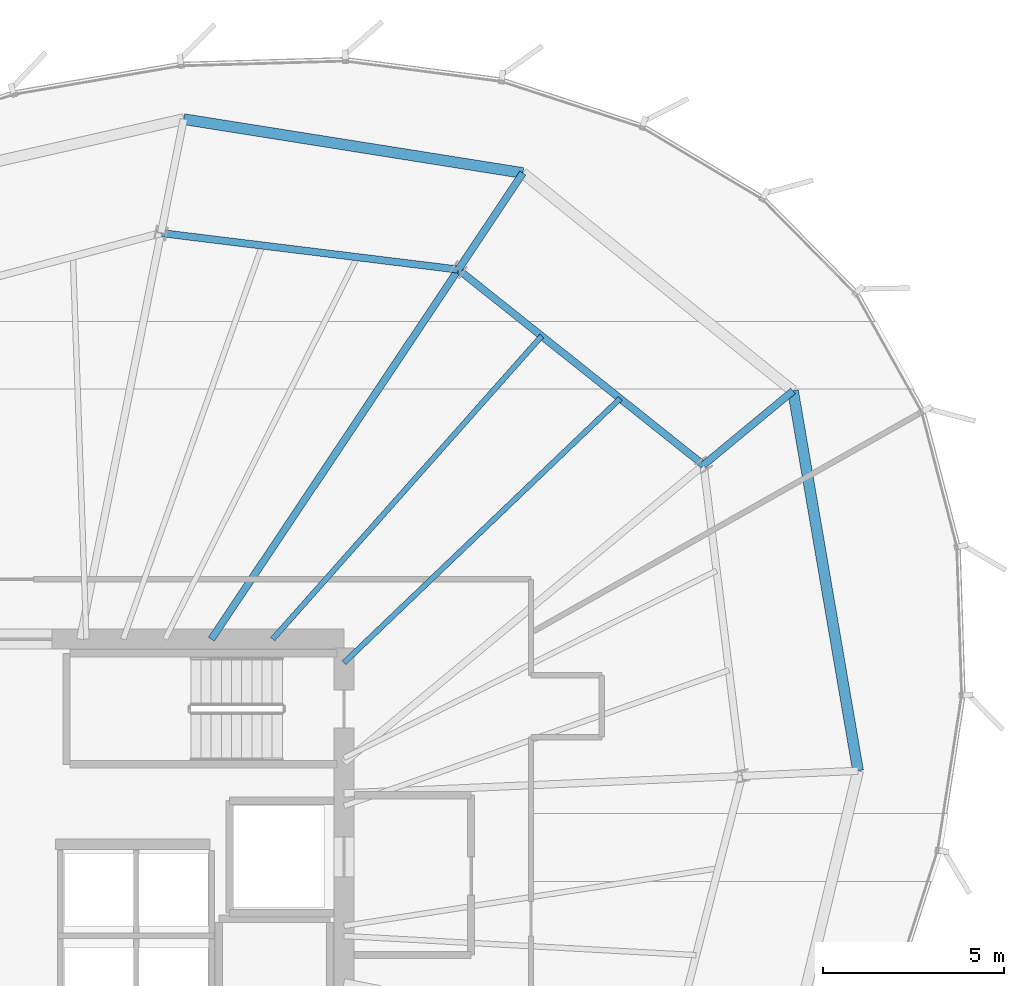
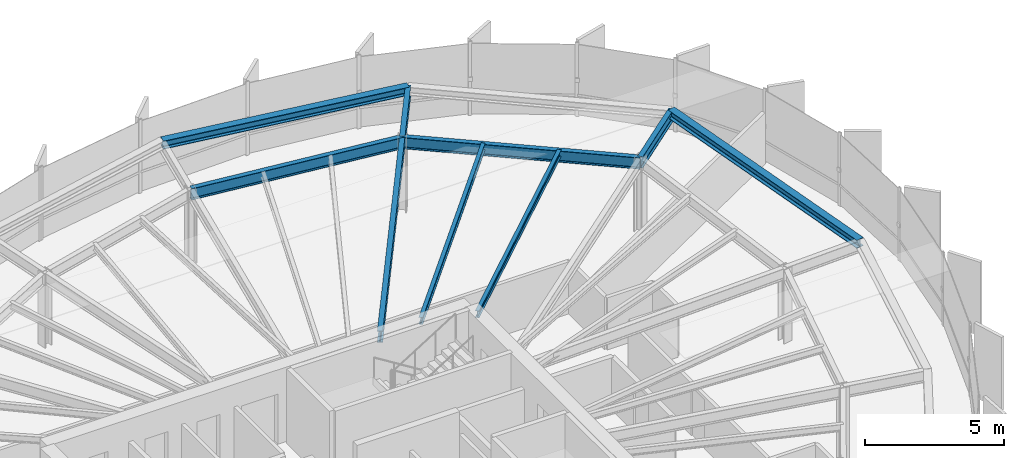
# One storey, part 24 of 34: 9 beams.
"""IFC4 building model written with IfcOpenShell, lengths in metres."""

import ifcopenshell
import ifcopenshell.guid

model = None  # the IFC model being written
_history = None  # IfcOwnerHistory: only IFC2X3 demands one
_inside = {}  # id of a spatial element -> (the spatial element, [elements in it])
_under = {}  # id of a project, library or spatial element -> (it, [spatial elements below it])
_declared = {}  # id of a project -> (the project, [libraries it declares])
_typed = {}  # id of a type object -> (the type object, [elements of that type])
_made_of = {}  # id of a material, layer set ... -> (it, [elements and type objects made of it])


def new_model(schema):
    """Start an empty IFC model of exactly this schema.

    Asked for "IFC4X3", IfcOpenShell would pick the latest addendum, in which some entities
    have other attributes; the version numbers below select the first issue.
    IFC2X3 requires an IfcOwnerHistory on every rooted entity: one is made here for all.
    """
    global model, _history
    if schema == "IFC4X3":
        model = ifcopenshell.file(schema_version=(4, 3, 0, 0))
    else:
        model = ifcopenshell.file(schema=schema)
    _inside.clear()
    _under.clear()
    _declared.clear()
    _typed.clear()
    _made_of.clear()
    _history = None
    if model.schema == "IFC2X3":
        org = make("IfcOrganization", Name="unknown")
        user = make(
            "IfcPersonAndOrganization",
            ThePerson=make("IfcPerson", FamilyName="unknown"),
            TheOrganization=org,
        )
        app = make(
            "IfcApplication",
            ApplicationDeveloper=org,
            Version="unknown",
            ApplicationFullName="unknown",
            ApplicationIdentifier="unknown",
        )
        _history = make(
            "IfcOwnerHistory",
            OwningUser=user,
            OwningApplication=app,
            ChangeAction="ADDED",
            CreationDate=0,
        )
    return model


def make(cls, **values):
    """One entity of the class cls with the attributes given. An attribute that is None is left unset."""
    return model.create_entity(
        cls, **{name: value for name, value in values.items() if value is not None}
    )


def rooted(cls, **values):
    """An entity with a GlobalId (a new one), such as an element, a storey or a relation."""
    return make(cls, GlobalId=ifcopenshell.guid.new(), OwnerHistory=_history, **values)


def si_unit(unit_type, name, prefix=None):
    """IfcSIUnit, for example si_unit("LENGTHUNIT", "METRE", prefix="MILLI")."""
    return make("IfcSIUnit", UnitType=unit_type, Prefix=prefix, Name=name)


def assignment(units):
    """IfcUnitAssignment: the units of a project."""
    return None if units is None else make("IfcUnitAssignment", Units=units)


def point(xyz):
    """IfcCartesianPoint."""
    return None if xyz is None else make("IfcCartesianPoint", Coordinates=xyz)


def direction(xyz):
    """IfcDirection."""
    return None if xyz is None else make("IfcDirection", DirectionRatios=xyz)


def frame(location, z_axis=None, x_axis=None):
    """IfcAxis2Placement3D, a coordinate frame: its origin and axes. An axis left out is left unset."""
    return make(
        "IfcAxis2Placement3D",
        Location=point(location),
        Axis=direction(z_axis),
        RefDirection=direction(x_axis),
    )


def frame_2d(location, x_axis=None):
    """IfcAxis2Placement2D, a coordinate frame in the plane: its origin and x axis."""
    return make(
        "IfcAxis2Placement2D", Location=point(location), RefDirection=direction(x_axis)
    )


def origin():
    """The frame at (0, 0, 0) with its axes left unset."""
    return frame((0.0, 0.0, 0.0))


def origin_2d():
    """The frame at (0, 0) in the plane with its x axis left unset."""
    return frame_2d((0.0, 0.0))


def place(relative_to, where):
    """IfcLocalPlacement: puts the frame where relative to a parent placement (None: the world)."""
    return make(
        "IfcLocalPlacement", PlacementRelTo=relative_to, RelativePlacement=where
    )


def context(
    kind, dimensions, precision=None, world=None, true_north=None, identifier=None
):
    """IfcGeometricRepresentationContext, for example the 3D "Model" context."""
    return make(
        "IfcGeometricRepresentationContext",
        ContextIdentifier=identifier,
        ContextType=kind,
        CoordinateSpaceDimension=dimensions,
        Precision=precision,
        WorldCoordinateSystem=world,
        TrueNorth=true_north,
    )


def subcontext(parent, identifier, kind, view, scale=None):
    """IfcGeometricRepresentationSubContext, for example "Body" below "Model"."""
    return make(
        "IfcGeometricRepresentationSubContext",
        ContextIdentifier=identifier,
        ContextType=kind,
        ParentContext=parent,
        TargetScale=scale,
        TargetView=view,
    )


def project(units=None, contexts=None):
    """IfcProject with its units and contexts."""
    return rooted(
        "IfcProject",
        Name="project",
        RepresentationContexts=contexts,
        UnitsInContext=assignment(units),
    )


def spatial(cls, under=None, at=None, **own):
    """A site, building, storey or space (cls), placed at a placement, below another one or the project."""
    s = rooted(cls, ObjectPlacement=at, **own)
    if under is not None:
        _under.setdefault(under.id(), (under, []))[1].append(s)
    return s


def profile(cls, at=None, kind="AREA", **sizes):
    """A parametric profile (cls). Its sizes go by their IFC names, for example OverallWidth=200.0."""
    return make(cls, ProfileType=kind, Position=at, **sizes)


def i_section(**sizes):
    """IfcIShapeProfileDef."""
    return profile("IfcIShapeProfileDef", **sizes)


def extrude(swept, where, along, depth):
    """IfcExtrudedAreaSolid: the profile swept, set in the frame where, extruded along a direction by depth."""
    return make(
        "IfcExtrudedAreaSolid",
        SweptArea=swept,
        Position=where,
        ExtrudedDirection=direction(along),
        Depth=depth,
    )


def shape(context_of_items, identifier, shape_type, items):
    """IfcShapeRepresentation: the items that make up one representation, for example the "Body"."""
    return make(
        "IfcShapeRepresentation",
        ContextOfItems=context_of_items,
        RepresentationIdentifier=identifier,
        RepresentationType=shape_type,
        Items=items,
    )


def source(mapping_origin, context_of_items, identifier, shape_type, items):
    """IfcRepresentationMap: a shape defined once, which mapped items show again and again."""
    return make(
        "IfcRepresentationMap",
        MappingOrigin=mapping_origin,
        MappedRepresentation=shape(context_of_items, identifier, shape_type, items),
    )


def transform(
    local_origin,
    x_axis=None,
    y_axis=None,
    z_axis=None,
    scale=None,
    scale2=None,
    scale3=None,
    uniform=True,
):
    """IfcCartesianTransformationOperator3D, or its non-uniform kind. x_axis, y_axis, z_axis: its Axis1, 2, 3."""
    if uniform:
        return make(
            "IfcCartesianTransformationOperator3D",
            Axis1=direction(x_axis),
            Axis2=direction(y_axis),
            LocalOrigin=point(local_origin),
            Scale=scale,
            Axis3=direction(z_axis),
        )
    return make(
        "IfcCartesianTransformationOperator3DnonUniform",
        Axis1=direction(x_axis),
        Axis2=direction(y_axis),
        LocalOrigin=point(local_origin),
        Scale=scale,
        Axis3=direction(z_axis),
        Scale2=scale2,
        Scale3=scale3,
    )


def mapped(mapping_source, mapping_target):
    """IfcMappedItem: shows the shape of a source again, moved by a transform."""
    return make(
        "IfcMappedItem", MappingSource=mapping_source, MappingTarget=mapping_target
    )


def material(Name=None, Category=None):
    """IfcMaterial."""
    return make("IfcMaterial", Name=Name, Category=Category)


def material_profile(
    of_material, cross_section, Name=None, Category=None, Priority=None
):
    """IfcMaterialProfile: a cross section and its material."""
    return make(
        "IfcMaterialProfile",
        Name=Name,
        Material=of_material,
        Profile=cross_section,
        Priority=Priority,
        Category=Category,
    )


def profile_set(profiles, Name=None, composite=None):
    """IfcMaterialProfileSet."""
    return make(
        "IfcMaterialProfileSet",
        Name=Name,
        MaterialProfiles=profiles,
        CompositeProfile=composite,
    )


def made_of(thing, what):
    """Note that an element or type object is made of a material, layer set ...; save() writes the relation."""
    if what is not None:
        _made_of.setdefault(what.id(), (what, []))[1].append(thing)
    return thing


def type_object(cls, material=None, **own):
    """A type object (cls), such as IfcWallType, which elements share."""
    return made_of(rooted(cls, **own), material)


def element(
    cls,
    number,
    at=None,
    inside=None,
    cuts=None,
    type_object=None,
    material=None,
    context=None,
    identifier="Body",
    shape_type=None,
    held_by="IfcProductDefinitionShape",
    body=None,
    shapes=None,
    **own,
):
    """One element of the class cls, such as IfcWall. Its Tag is "e" and its number.

    at: its placement. inside: the storey or other place that contains it. cuts: it is an
    opening in that element (IfcRelVoidsElement). A single representation is given by context,
    identifier, shape_type and body (its items); several are given by shapes. held_by: the class
    of the entity that holds the representations. save() writes the other relations.
    """
    e = rooted(cls, Tag="e%d" % number, ObjectPlacement=at, **own)
    if body is not None:
        shapes = [shape(context, identifier, shape_type, body)]
    if shapes is not None:
        e.Representation = make(held_by, Representations=shapes)
    if inside is not None:
        _inside.setdefault(inside.id(), (inside, []))[1].append(e)
    if cuts is not None:
        rooted(
            "IfcRelVoidsElement", RelatingBuildingElement=cuts, RelatedOpeningElement=e
        )
    if type_object is not None:
        _typed.setdefault(type_object.id(), (type_object, []))[1].append(e)
    return made_of(e, material)


def aggregate(whole, parts):
    """IfcRelAggregates: a whole, such as a stair, and the parts it consists of."""
    return rooted("IfcRelAggregates", RelatingObject=whole, RelatedObjects=parts)


def save(model, path):
    """Write the relations noted so far, then the file.

    IfcRelAggregates (storeys below a building ...), IfcRelContainedInSpatialStructure (elements
    in a storey), IfcRelDefinesByType, IfcRelAssociatesMaterial and IfcRelDeclares: one each for
    every whole, place, type object, material and project.
    """
    for whole, parts in _under.values():
        aggregate(whole, parts)
    for where, things in _inside.values():
        rooted(
            "IfcRelContainedInSpatialStructure",
            RelatedElements=things,
            RelatingStructure=where,
        )
    for kind, things in _typed.values():
        rooted("IfcRelDefinesByType", RelatedObjects=things, RelatingType=kind)
    for what, things in _made_of.values():
        rooted("IfcRelAssociatesMaterial", RelatedObjects=things, RelatingMaterial=what)
    for by, libraries in _declared.values():
        rooted("IfcRelDeclares", RelatingContext=by, RelatedDefinitions=libraries)
    model.write(path)


model = new_model("IFC4")

# Units and contexts
model_context = context("Model", 3, precision=1e-05, world=origin(), true_north=direction((0.0, 1.0)))
body_context = subcontext(model_context, "Body", "Model", "MODEL_VIEW")
ifc_project = project(units=[si_unit("LENGTHUNIT", "METRE"), si_unit("AREAUNIT", "SQUARE_METRE"), si_unit("VOLUMEUNIT", "CUBIC_METRE"), si_unit("PLANEANGLEUNIT", "RADIAN"), si_unit("MASSUNIT", "GRAM", prefix="KILO"), si_unit("THERMODYNAMICTEMPERATUREUNIT", "KELVIN")], contexts=[model_context])

# Site, building, storey
site_placement = place(None, origin())
site = spatial("IfcSite", under=ifc_project, at=site_placement, CompositionType="ELEMENT")
building_placement = place(site_placement, origin())
building = spatial("IfcBuilding", under=site, at=building_placement, Name="Kethvar Cultural Tower", CompositionType="ELEMENT")
storey_placement = place(building_placement, frame((0.0, 0.0, 183.39990234375)))
storey = spatial("IfcBuildingStorey", under=building, at=storey_placement, Name="L47", CompositionType="ELEMENT", Elevation=183.39990234375)

# Beams
ifc_material = material(Name="Steel S355J2", Category="steel")
ifc_material_profile_1 = material_profile(ifc_material, i_section(OverallWidth=0.199951171875, OverallDepth=0.5, WebThickness=0.01025390625, FlangeThickness=0.01611328125, FilletRadius=0.02099609375, at=origin_2d()), Name="Steel S355J2 — IPE500")
ifc_profile_set_1 = profile_set([ifc_material_profile_1], Name="Steel S355J2 — IPE500")
beam_type_1 = type_object("IfcBeamType", Name="BM-IPE500", PredefinedType="BEAM", material=ifc_profile_set_1)
shared_shape_1 = source(origin(), body_context, "Body", "SweptSolid", [
    extrude(i_section(OverallWidth=0.199951171875, OverallDepth=0.5, WebThickness=0.01025390625, FlangeThickness=0.01611328125, FilletRadius=0.02099609375, at=origin_2d()), origin(), (0.0, 0.0, 1.0), 3.2001953125),
])
beam_1_placement = place(storey_placement, frame((58.748046875, 45.681396484375, 3.008056640625), z_axis=(0.555544970406, 0.831486491686, 0.0), x_axis=(-0.831486491686, 0.555544970406, 0.0)))
element("IfcBeam", 1, at=beam_1_placement, inside=storey, type_object=beam_type_1, Name="L47 Perimeter Cantilever Beam RC-03", PredefinedType="BEAM", context=body_context, shape_type="MappedRepresentation", body=[
    mapped(shared_shape_1, transform((0.0, 0.0, 0.0), scale=1.0)),
])
shared_shape_2 = source(origin(), body_context, "Body", "SweptSolid", [
    extrude(i_section(OverallWidth=0.199951171875, OverallDepth=0.5, WebThickness=0.01025390625, FlangeThickness=0.01611328125, FilletRadius=0.02099609375, at=origin_2d()), origin(), (0.0, 0.0, 1.0), 3.199951171875),
])
beam_2_placement = place(storey_placement, frame((65.504150390625, 40.297607421875, 3.008056640625), z_axis=(0.770324538831, 0.637652024913, 0.0), x_axis=(-0.637652024913, 0.770324538831, 0.0)))
element("IfcBeam", 2, at=beam_2_placement, inside=storey, type_object=beam_type_1, Name="L47 Perimeter Cantilever Beam RC-02", PredefinedType="BEAM", context=body_context, shape_type="MappedRepresentation", body=[
    mapped(shared_shape_2, transform((0.0, 0.0, 0.0), scale=1.0)),
])
shared_shape_3 = source(origin(), body_context, "Body", "SweptSolid", [
    extrude(i_section(OverallWidth=0.199951171875, OverallDepth=0.5, WebThickness=0.01025390625, FlangeThickness=0.01611328125, FilletRadius=0.02099609375, at=origin_2d()), origin(), (0.0, 0.0, 1.0), 12.2451171875),
])
beam_3_placement = place(storey_placement, frame((51.945068359375, 35.5, 3.008056640625), z_axis=(0.555569492312, 0.831470107227, 0.0), x_axis=(-0.831470107227, 0.555569492312, 0.0)))
element("IfcBeam", 3, at=beam_3_placement, inside=storey, type_object=beam_type_1, Name="L47 Primary Radial Beam RB-03", PredefinedType="BEAM", context=body_context, shape_type="MappedRepresentation", body=[
    mapped(shared_shape_3, transform((0.0, 0.0, 0.0), scale=1.0)),
])
ifc_material_profile_2 = material_profile(ifc_material, i_section(OverallWidth=0.300048828125, OverallDepth=0.360107421875, WebThickness=0.012451171875, FlangeThickness=0.0224609375, FilletRadius=0.027099609375, at=origin_2d()), Name="Steel S355J2 — HEB360")
ifc_profile_set_2 = profile_set([ifc_material_profile_2], Name="Steel S355J2 — HEB360")
beam_type_2 = type_object("IfcBeamType", Name="BM-SP360", PredefinedType="SPANDREL", material=ifc_profile_set_2)
shared_shape_4 = source(origin(), body_context, "Body", "SweptSolid", [
    extrude(i_section(OverallWidth=0.300048828125, OverallDepth=0.360107421875, WebThickness=0.012451171875, FlangeThickness=0.0224609375, FilletRadius=0.027099609375, at=origin_2d()), origin(), (0.0, 0.0, 1.0), 10.618896484375),
])
beam_4_placement = place(storey_placement, frame((69.760986328125, 31.87158203125, 3.078125), z_axis=(-0.168733441284, 0.985661719756, 0.0), x_axis=(-0.985661719756, -0.168733441284, 0.0)))
element("IfcBeam", 4, at=beam_4_placement, inside=storey, type_object=beam_type_2, Name="L47 Perimeter Spandrel Beam SP-01", PredefinedType="SPANDREL", context=body_context, shape_type="MappedRepresentation", body=[
    mapped(shared_shape_4, transform((0.0, 0.0, 0.0), scale=1.0)),
])
shared_shape_5 = source(origin(), body_context, "Body", "SweptSolid", [
    extrude(i_section(OverallWidth=0.199951171875, OverallDepth=0.5, WebThickness=0.01025390625, FlangeThickness=0.01611328125, FilletRadius=0.02099609375, at=origin_2d()), origin(), (0.0, 0.0, 1.0), 8.638916015625),
])
beam_5_placement = place(storey_placement, frame((65.504150390625, 40.297607421875, 3.008056640625), z_axis=(-0.782058475366, 0.623205055425, 0.0), x_axis=(-0.623205055425, -0.782058475366, 0.0)))
element("IfcBeam", 5, at=beam_5_placement, inside=storey, type_object=beam_type_1, Name="L47 Column Ring Tie Beam CR-02", PredefinedType="BEAM", context=body_context, shape_type="MappedRepresentation", body=[
    mapped(shared_shape_5, transform((0.0, 0.0, 0.0), scale=1.0)),
])
ifc_material_profile_3 = material_profile(ifc_material, i_section(OverallWidth=0.14990234375, OverallDepth=0.300048828125, WebThickness=0.007080078125, FlangeThickness=0.0107421875, FilletRadius=0.014892578125, at=origin_2d()), Name="Steel S355J2 — IPE300")
ifc_profile_set_3 = profile_set([ifc_material_profile_3], Name="Steel S355J2 — IPE300")
beam_type_3 = type_object("IfcBeamType", Name="BM-J300", PredefinedType="JOIST", material=ifc_profile_set_3)
shared_shape_6 = source(origin(), body_context, "Body", "SweptSolid", [
    extrude(i_section(OverallWidth=0.14990234375, OverallDepth=0.300048828125, WebThickness=0.007080078125, FlangeThickness=0.0107421875, FilletRadius=0.014892578125, at=origin_2d()), origin(), (0.0, 0.0, 1.0), 10.52783203125),
])
beam_6_placement = place(storey_placement, frame((55.60009765625, 34.85009765625, 3.108154296875), z_axis=(0.722552708299, 0.691315835006, 0.0), x_axis=(-0.691315835006, 0.722552708299, 0.0)))
element("IfcBeam", 6, at=beam_6_placement, inside=storey, type_object=beam_type_3, Name="L47 Composite Floor Joist J-02A", PredefinedType="JOIST", context=body_context, shape_type="MappedRepresentation", body=[
    mapped(shared_shape_6, transform((0.0, 0.0, 0.0), scale=1.0)),
])
shared_shape_7 = source(origin(), body_context, "Body", "SweptSolid", [
    extrude(i_section(OverallWidth=0.14990234375, OverallDepth=0.300048828125, WebThickness=0.007080078125, FlangeThickness=0.0107421875, FilletRadius=0.014892578125, at=origin_2d()), origin(), (0.0, 0.0, 1.0), 11.16552734375),
])
beam_7_placement = place(storey_placement, frame((53.6337890625, 35.5, 3.108154296875), z_axis=(0.663773261048, 0.747933859321, 0.0), x_axis=(-0.747933859321, 0.663773261048, 0.0)))
element("IfcBeam", 7, at=beam_7_placement, inside=storey, type_object=beam_type_3, Name="L47 Composite Floor Joist J-02B", PredefinedType="JOIST", context=body_context, shape_type="MappedRepresentation", body=[
    mapped(shared_shape_7, transform((0.0, 0.0, 0.0), scale=1.0)),
])
shared_shape_8 = source(origin(), body_context, "Body", "SweptSolid", [
    extrude(i_section(OverallWidth=0.199951171875, OverallDepth=0.5, WebThickness=0.01025390625, FlangeThickness=0.01611328125, FilletRadius=0.02099609375, at=origin_2d()), origin(), (0.0, 0.0, 1.0), 8.252685546875),
])
beam_8_placement = place(storey_placement, frame((58.748046875, 45.681396484375, 3.008056640625), z_axis=(-0.992540943467, 0.121911753093, 0.0), x_axis=(-0.121911753093, -0.992540943467, 0.0)))
element("IfcBeam", 8, at=beam_8_placement, inside=storey, type_object=beam_type_1, Name="L47 Column Ring Tie Beam CR-03", PredefinedType="BEAM", context=body_context, shape_type="MappedRepresentation", body=[
    mapped(shared_shape_8, transform((0.0, 0.0, 0.0), scale=1.0)),
])
shared_shape_9 = source(origin(), body_context, "Body", "SweptSolid", [
    extrude(i_section(OverallWidth=0.300048828125, OverallDepth=0.360107421875, WebThickness=0.012451171875, FlangeThickness=0.0224609375, FilletRadius=0.027099609375, at=origin_2d()), origin(), (0.0, 0.0, 1.0), 9.461669921875),
])
beam_9_placement = place(storey_placement, frame((60.52587890625, 48.34228515625, 3.078125), z_axis=(-0.987629757191, 0.156803898904, 0.0), x_axis=(-0.156803898904, -0.987629757191, 0.0)))
element("IfcBeam", 9, at=beam_9_placement, inside=storey, type_object=beam_type_2, Name="L47 Perimeter Spandrel Beam SP-03", PredefinedType="SPANDREL", context=body_context, shape_type="MappedRepresentation", body=[
    mapped(shared_shape_9, transform((0.0, 0.0, 0.0), scale=1.0)),
])

save(model, "model.ifc")
